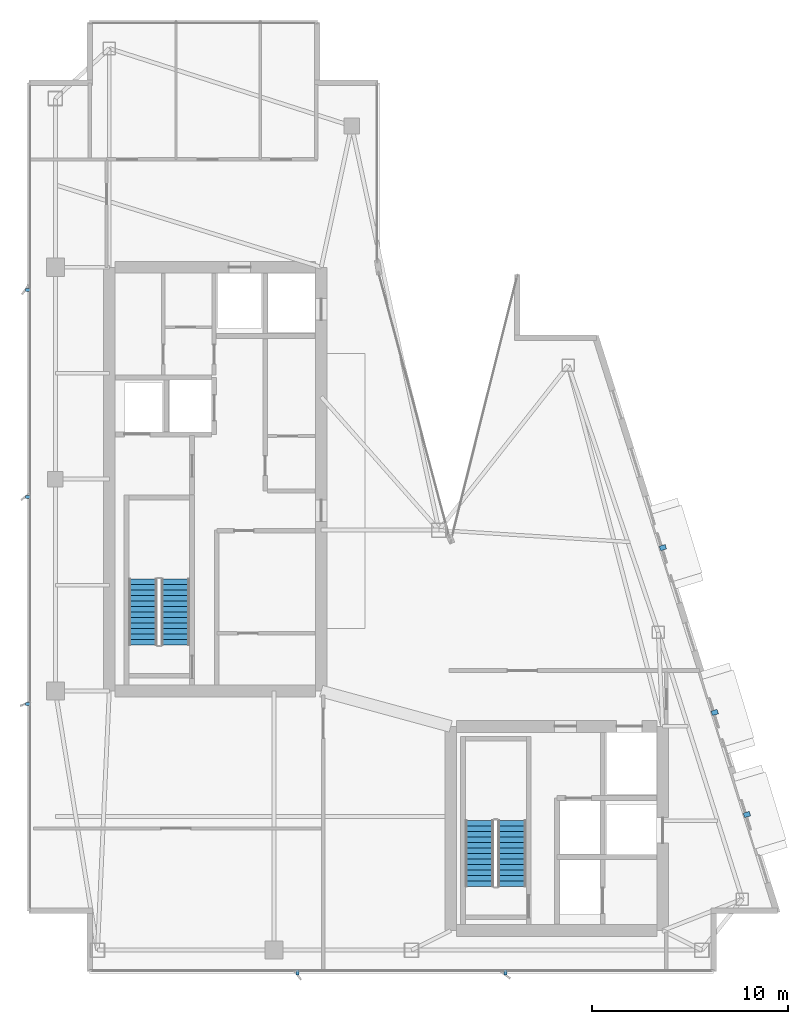
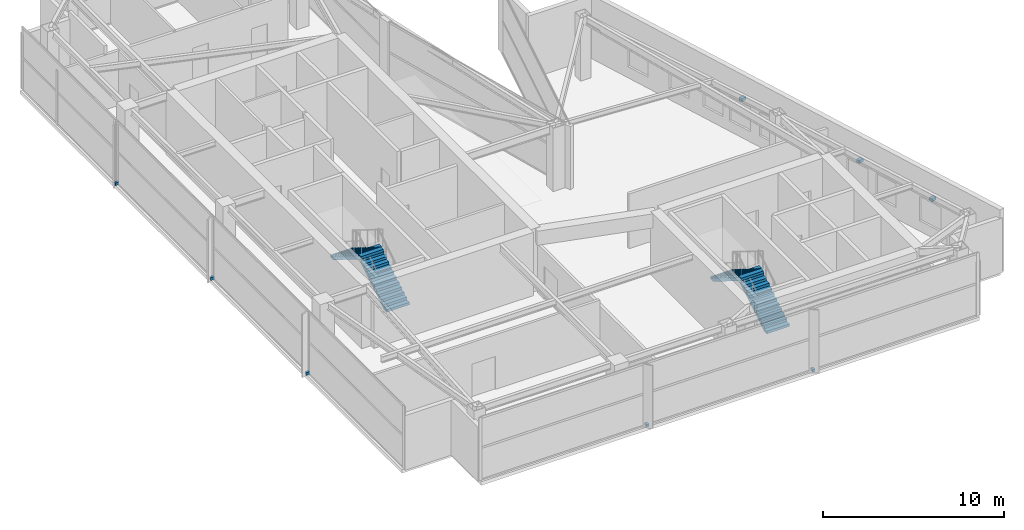
# One storey, part 23 of 25: 8 discrete accessories, 4 stair flights, 2 elements without a shape of their own.
"""IFC4 building model written with IfcOpenShell, lengths in metres."""

from ifc_helpers import new_model, si_unit, direction, frame, origin, origin_2d, place, context, subcontext, project, spatial, polyline, rectangle, outline, extrude, material, type_object, element, aggregate, save


model = new_model("IFC4")

# Units and contexts
model_context = context("Model", 3, precision=1e-05, world=origin(), true_north=direction((0.0, 1.0)))
body_context = subcontext(model_context, "Body", "Model", "MODEL_VIEW")
ifc_project = project(units=[si_unit("LENGTHUNIT", "METRE"), si_unit("AREAUNIT", "SQUARE_METRE"), si_unit("VOLUMEUNIT", "CUBIC_METRE"), si_unit("PLANEANGLEUNIT", "RADIAN"), si_unit("MASSUNIT", "GRAM", prefix="KILO")], contexts=[model_context])

# Site, building, storey
site_placement = place(None, origin())
site = spatial("IfcSite", under=ifc_project, at=site_placement, CompositionType="ELEMENT")
building_placement = place(site_placement, origin())
building = spatial("IfcBuilding", under=site, at=building_placement, Name="Calvorn Quay Hotel", CompositionType="ELEMENT")
storey_placement = place(building_placement, frame((0.0, 0.0, 311.5)))
storey = spatial("IfcBuildingStorey", under=building, at=storey_placement, Name="L77", CompositionType="ELEMENT", Elevation=311.5)

# Stair, stair flights
ifc_material_1 = material(Name="Concrete C40", Category="concrete")
stair_type = type_object("IfcStairType", Name="STR-CORE-DOGLEG", PredefinedType="HALF_TURN_STAIR", material=ifc_material_1)
stair_1_placement = place(storey_placement, origin())
stair_1 = element("IfcStair", 1, at=stair_1_placement, inside=storey, type_object=stair_type, Name="L77 ST-W", PredefinedType="HALF_TURN_STAIR")
ifc_material_2 = material(Name="Concrete C40", Category="concrete")
stair_flight_type = type_object("IfcStairFlightType", Name="FLT-CORE-1550", PredefinedType="STRAIGHT", material=ifc_material_2)
stair_flight_1_placement = place(storey_placement, frame((7.574951171875, 19.14990234375, 0.0), z_axis=(0.0, 0.0, 1.0), x_axis=(0.0, 1.0, 0.0)))
stair_flight_1 = element("IfcStairFlight", 2, at=stair_flight_1_placement, type_object=stair_flight_type, Name="ST-W flight 1", NumberOfRisers=13, NumberOfTreads=12, PredefinedType="STRAIGHT", RiserHeight=0.173076923, TreadLength=0.28, context=body_context, shape_type="SweptSolid", body=[
    extrude(outline(polyline([(0.0, 0.0), (0.0, 0.173095703125), (0.280029296875, 0.173095703125), (0.280029296875, 0.34619140625), (0.56005859375, 0.34619140625), (0.56005859375, 0.519287109375), (0.840087890625, 0.519287109375), (0.840087890625, 0.6923828125), (1.1201171875, 0.6923828125), (1.1201171875, 0.865478515625), (1.39990234375, 0.865478515625), (1.39990234375, 1.03857421875), (1.679931640625, 1.03857421875), (1.679931640625, 1.21142578125), (1.9599609375, 1.21142578125), (1.9599609375, 1.384521484375), (2.239990234375, 1.384521484375), (2.239990234375, 1.5576171875), (2.52001953125, 1.5576171875), (2.52001953125, 1.730712890625), (2.800048828125, 1.730712890625), (2.800048828125, 1.90380859375), (3.080078125, 1.90380859375), (3.080078125, 2.076904296875), (3.360107421875, 2.076904296875), (3.360107421875, 2.25), (3.360107421875, 1.900634765625), (0.28515625, 0.0), (0.0, 0.0)])), frame((0.0, 0.72509765625, 0.0), z_axis=(0.0, -1.0, 0.0), x_axis=(1.0, 0.0, 0.0)), (0.0, 0.0, 1.0), 1.449951171875),
])
stair_flight_2_placement = place(storey_placement, frame((5.925048828125, 22.510009765625, 2.25), z_axis=(0.0, 0.0, 1.0), x_axis=(0.0, -1.0, 0.0)))
stair_flight_2 = element("IfcStairFlight", 3, at=stair_flight_2_placement, type_object=stair_flight_type, Name="ST-W flight 2", NumberOfRisers=13, NumberOfTreads=12, PredefinedType="STRAIGHT", RiserHeight=0.173076923, TreadLength=0.28, context=body_context, shape_type="SweptSolid", body=[
    extrude(outline(polyline([(0.0, 0.0), (0.0, 0.173095703125), (0.280029296875, 0.173095703125), (0.280029296875, 0.34619140625), (0.56005859375, 0.34619140625), (0.56005859375, 0.519287109375), (0.840087890625, 0.519287109375), (0.840087890625, 0.6923828125), (1.1201171875, 0.6923828125), (1.1201171875, 0.865478515625), (1.39990234375, 0.865478515625), (1.39990234375, 1.03857421875), (1.679931640625, 1.03857421875), (1.679931640625, 1.21142578125), (1.9599609375, 1.21142578125), (1.9599609375, 1.384521484375), (2.239990234375, 1.384521484375), (2.239990234375, 1.5576171875), (2.52001953125, 1.5576171875), (2.52001953125, 1.730712890625), (2.800048828125, 1.730712890625), (2.800048828125, 1.90380859375), (3.080078125, 1.90380859375), (3.080078125, 2.076904296875), (3.360107421875, 2.076904296875), (3.360107421875, 2.25), (3.360107421875, 1.900634765625), (0.28515625, 0.0), (0.0, 0.0)])), frame((0.0, 0.72509765625, 0.0), z_axis=(0.0, -1.0, 0.0), x_axis=(1.0, 0.0, 0.0)), (0.0, 0.0, 1.0), 1.449951171875),
])
aggregate(stair_1, [stair_flight_1, stair_flight_2])

stair_2_placement = place(storey_placement, origin())
stair_2 = element("IfcStair", 4, at=stair_2_placement, inside=storey, type_object=stair_type, Name="L77 ST-E", PredefinedType="HALF_TURN_STAIR")
stair_flight_3_placement = place(storey_placement, frame((24.72509765625, 6.85009765625, 0.0), z_axis=(0.0, 0.0, 1.0), x_axis=(0.0, 1.0, 0.0)))
stair_flight_3 = element("IfcStairFlight", 5, at=stair_flight_3_placement, type_object=stair_flight_type, Name="ST-E flight 1", NumberOfRisers=13, NumberOfTreads=12, PredefinedType="STRAIGHT", RiserHeight=0.173076923, TreadLength=0.28, context=body_context, shape_type="SweptSolid", body=[
    extrude(outline(polyline([(0.0, 0.0), (0.0, 0.173095703125), (0.280029296875, 0.173095703125), (0.280029296875, 0.34619140625), (0.56005859375, 0.34619140625), (0.56005859375, 0.519287109375), (0.840087890625, 0.519287109375), (0.840087890625, 0.6923828125), (1.1201171875, 0.6923828125), (1.1201171875, 0.865478515625), (1.39990234375, 0.865478515625), (1.39990234375, 1.03857421875), (1.679931640625, 1.03857421875), (1.679931640625, 1.21142578125), (1.9599609375, 1.21142578125), (1.9599609375, 1.384521484375), (2.239990234375, 1.384521484375), (2.239990234375, 1.5576171875), (2.52001953125, 1.5576171875), (2.52001953125, 1.730712890625), (2.800048828125, 1.730712890625), (2.800048828125, 1.90380859375), (3.080078125, 1.90380859375), (3.080078125, 2.076904296875), (3.360107421875, 2.076904296875), (3.360107421875, 2.25), (3.360107421875, 1.900634765625), (0.28515625, 0.0), (0.0, 0.0)])), frame((0.0, 0.72509765625, 0.0), z_axis=(0.0, -1.0, 0.0), x_axis=(1.0, 0.0, 0.0)), (0.0, 0.0, 1.0), 1.449951171875),
])
stair_flight_4_placement = place(storey_placement, frame((23.074951171875, 10.2099609375, 2.25), z_axis=(0.0, 0.0, 1.0), x_axis=(0.0, -1.0, 0.0)))
stair_flight_4 = element("IfcStairFlight", 6, at=stair_flight_4_placement, type_object=stair_flight_type, Name="ST-E flight 2", NumberOfRisers=13, NumberOfTreads=12, PredefinedType="STRAIGHT", RiserHeight=0.173076923, TreadLength=0.28, context=body_context, shape_type="SweptSolid", body=[
    extrude(outline(polyline([(0.0, 0.0), (0.0, 0.173095703125), (0.280029296875, 0.173095703125), (0.280029296875, 0.34619140625), (0.56005859375, 0.34619140625), (0.56005859375, 0.519287109375), (0.840087890625, 0.519287109375), (0.840087890625, 0.6923828125), (1.1201171875, 0.6923828125), (1.1201171875, 0.865478515625), (1.39990234375, 0.865478515625), (1.39990234375, 1.03857421875), (1.679931640625, 1.03857421875), (1.679931640625, 1.21142578125), (1.9599609375, 1.21142578125), (1.9599609375, 1.384521484375), (2.239990234375, 1.384521484375), (2.239990234375, 1.5576171875), (2.52001953125, 1.5576171875), (2.52001953125, 1.730712890625), (2.800048828125, 1.730712890625), (2.800048828125, 1.90380859375), (3.080078125, 1.90380859375), (3.080078125, 2.076904296875), (3.360107421875, 2.076904296875), (3.360107421875, 2.25), (3.360107421875, 1.900634765625), (0.28515625, 0.0), (0.0, 0.0)])), frame((0.0, 0.72509765625, 0.0), z_axis=(0.0, -1.0, 0.0), x_axis=(1.0, 0.0, 0.0)), (0.0, 0.0, 1.0), 1.449951171875),
])
aggregate(stair_2, [stair_flight_3, stair_flight_4])

# Discrete accessories
ifc_material_3 = material(Name="Steel Q355B", Category="steel")
discrete_accessory_type = type_object("IfcDiscreteAccessoryType", Name="ACC-FIN-BRACKET", PredefinedType="BRACKET", material=ifc_material_3)
for number, where, z_axis, x_axis, name in (
    (7, (0.06005859375, 16.14990234375, 0.0302734375), (0.0, 0.0, 1.0), (1.0, 0.0, 0.0), "Fin Anchor Bracket L77-W01"),
    (8, (0.06005859375, 26.699951171875, 0.0302734375), (0.0, 0.0, 1.0), (1.0, 0.0, 0.0), "Fin Anchor Bracket L77-W02"),
    (9, (0.06005859375, 37.25, 0.0302734375), (0.0, 0.0, 1.0), (1.0, 0.0, 0.0), "Fin Anchor Bracket L77-W03"),
    (10, (13.800048828125, 2.4599609375, 0.0302734375), (0.0, 0.0, 1.0), (0.0, 1.0, 0.0), "Fin Anchor Bracket L77-S01"),
    (11, (24.39990234375, 2.4599609375, 0.0302734375), (0.0, 0.0, 1.0), (0.0, 1.0, 0.0), "Fin Anchor Bracket L77-S02"),
):
    element("IfcDiscreteAccessory", number, at=place(storey_placement, frame(where, z_axis=z_axis, x_axis=x_axis)), inside=storey, type_object=discrete_accessory_type, Name=name, PredefinedType="BRACKET", context=body_context, shape_type="SweptSolid", body=[
        extrude(rectangle(XDim=0.239990234375, YDim=0.159912109375, at=origin_2d()), origin(), (0.0, 0.0, 1.0), 0.179931640625),
    ])
for number, where, z_axis, x_axis, name in (
    (12, (36.695068359375, 10.511962890625, 2.3701171875), (0.0, 0.0, 1.0), (0.957319497532, 0.289031796944, 0.0), "Bay Hood Support Bracket L77-HOOD-1"),
    (13, (35.055908203125, 15.7119140625, 2.3701171875), (0.0, 0.0, 1.0), (0.957319497532, 0.289031796944, 0.0), "Bay Hood Support Bracket L77-HOOD-2"),
    (14, (32.409912109375, 24.112060546875, 2.3701171875), (0.0, 0.0, 1.0), (0.957319497532, 0.289031796944, 0.0), "Bay Hood Support Bracket L77-HOOD-3"),
):
    element("IfcDiscreteAccessory", number, at=place(storey_placement, frame(where, z_axis=z_axis, x_axis=x_axis)), inside=storey, type_object=discrete_accessory_type, Name=name, PredefinedType="BRACKET", context=body_context, shape_type="SweptSolid", body=[
        extrude(rectangle(XDim=0.320068359375, YDim=0.239990234375, at=origin_2d()), origin(), (0.0, 0.0, 1.0), 0.199951171875),
    ])

save(model, "model.ifc")
